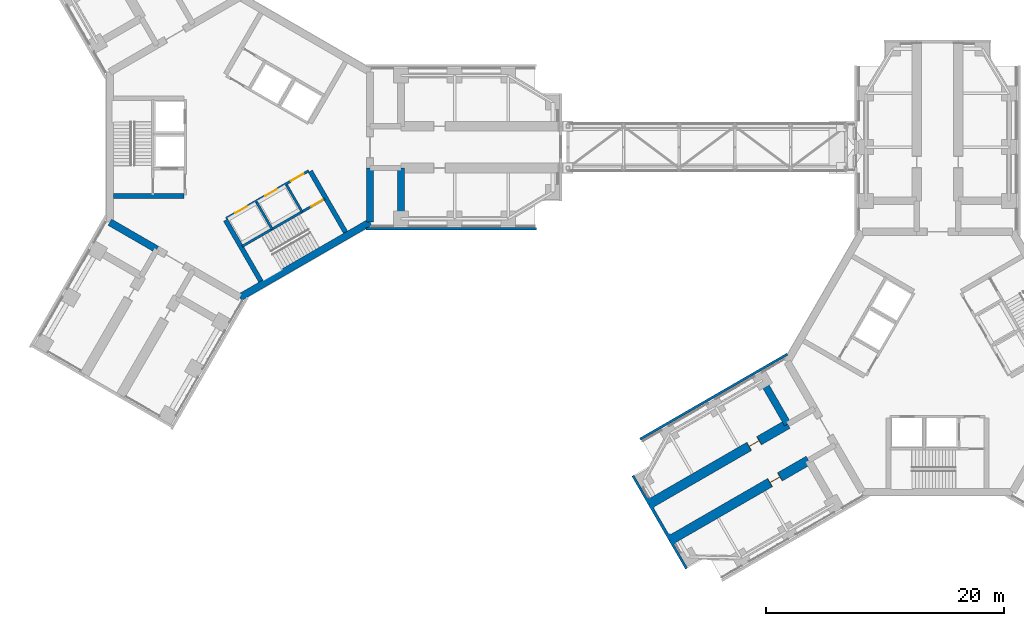
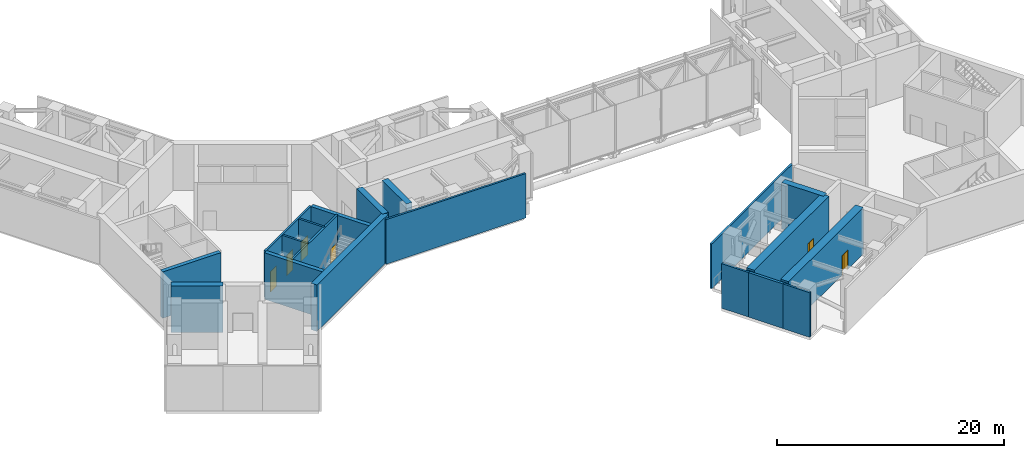
# One storey, part 7 of 15: 21 walls, 6 doors, 6 openings.
"""IFC4 building model written with IfcOpenShell, lengths in metres."""

from ifc_helpers import new_model, si_unit, direction, frame, frame_2d, origin, place, context, subcontext, project, spatial, rectangle, extrude, material, layer, layer_set, type_object, element, fill, save


model = new_model("IFC4")

# Units and contexts
model_context = context("Model", 3, precision=1e-05, world=origin(), true_north=direction((0.0, 1.0)))
body_context = subcontext(model_context, "Body", "Model", "MODEL_VIEW")
ifc_project = project(units=[si_unit("LENGTHUNIT", "METRE"), si_unit("AREAUNIT", "SQUARE_METRE"), si_unit("VOLUMEUNIT", "CUBIC_METRE"), si_unit("PLANEANGLEUNIT", "RADIAN"), si_unit("MASSUNIT", "GRAM", prefix="KILO")], contexts=[model_context])

# Site, building, storey
site_placement = place(None, origin())
site = spatial("IfcSite", under=ifc_project, at=site_placement, CompositionType="ELEMENT")
building_placement = place(site_placement, origin())
building = spatial("IfcBuilding", under=site, at=building_placement, Name="Upepo Twin Towers", CompositionType="ELEMENT")
storey_placement = place(building_placement, frame((0.0, 0.0, 165.5)))
storey = spatial("IfcBuildingStorey", under=building, at=storey_placement, Name="L40", CompositionType="ELEMENT", Elevation=165.5)

# Walls
ifc_material_1 = material(Name="Precast concrete breeze blocks", Category="concrete")
ifc_layer_1 = layer(ifc_material_1, 0.199951171875)
ifc_layer_set_1 = layer_set([ifc_layer_1], Name="Breeze-block screen wall 200")
wall_type_1 = type_object("IfcWallType", Name="Breeze-block screen wall 200", PredefinedType="USERDEFINED", material=ifc_layer_set_1)
for number, where, z_axis, x_axis, name in (
    (1, (24.85009765625, -6.85009765625, 0.0), (0.0, 0.0, 1.0), (-1.0, 0.0, 0.0), "T1 L40 wing A screen R"),
    (2, (33.55419921875, -24.49267578125, 0.0), (0.0, 0.0, 1.0), (0.866028809711, 0.499994100716, 0.0), "T2 L40 wing B screen R"),
):
    element("IfcWall", number, at=place(storey_placement, frame(where, z_axis=z_axis, x_axis=x_axis)), inside=storey, type_object=wall_type_1, Name=name, ObjectType="SCREEN", PredefinedType="USERDEFINED", context=body_context, shape_type="SweptSolid", body=[
        extrude(rectangle(XDim=14.262939453125, YDim=0.199951171875, at=frame_2d((7.13134765625, 0.0))), origin(), (0.0, 0.0, 1.0), 4.800048828125),
    ])
for number, where, z_axis, x_axis, name in (
    (3, (32.953857421875, -27.552978515625, 0.0), (0.0, 0.0, 1.0), (0.499996545922, -0.866027397988, 0.0), "T2 L40 wing B nose screen 0"),
    (4, (36.078857421875, -32.965576171875, 0.0), (0.0, 0.0, 1.0), (0.499996545922, -0.866027397988, 0.0), "T2 L40 wing B nose screen 2"),
):
    element("IfcWall", number, at=place(storey_placement, frame(where, z_axis=z_axis, x_axis=x_axis)), inside=storey, type_object=wall_type_1, Name=name, ObjectType="SCREEN", PredefinedType="USERDEFINED", context=body_context, shape_type="SweptSolid", body=[
        extrude(rectangle(XDim=2.75, YDim=0.199951171875, at=frame_2d((1.375, 0.0))), origin(), (0.0, 0.0, 1.0), 4.800048828125),
    ])
ifc_material_2 = material(Name="Dense concrete blockwork", Category="masonry")
ifc_layer_2 = layer(ifc_material_2, 0.800048828125)
ifc_layer_set_2 = layer_set([ifc_layer_2], Name="Buttress closer 800, blockwork with fire-stopping to the curtain wall")
wall_type_2 = type_object("IfcWallType", Name="Buttress closer 800, blockwork with fire-stopping to the curtain wall", PredefinedType="PARTITIONING", material=ifc_layer_set_2)
wall_1_placement = place(storey_placement, frame((36.252197265625, -32.865478515625, 0.0), z_axis=(0.0, 0.0, 1.0), x_axis=(-0.86553723574, -0.500844580232, 0.0)))
element("IfcWall", 5, at=wall_1_placement, inside=storey, type_object=wall_type_2, Name="T2 L40 wing B buttress closer L", PredefinedType="PARTITIONING", context=body_context, shape_type="SweptSolid", body=[
    extrude(rectangle(XDim=0.05029296875, YDim=0.800048828125, at=frame_2d((0.025146484375, 0.0))), origin(), (0.0, 0.0, 1.0), 4.800048828125),
])
wall_2_placement = place(storey_placement, frame((34.502197265625, -29.83447265625, 0.0), z_axis=(0.0, 0.0, 1.0), x_axis=(-0.867642581652, -0.497188445666, 0.0)))
element("IfcWall", 6, at=wall_2_placement, inside=storey, type_object=wall_type_2, Name="T2 L40 wing B buttress closer R", PredefinedType="PARTITIONING", context=body_context, shape_type="SweptSolid", body=[
    extrude(rectangle(XDim=0.050048828125, YDim=0.800048828125, at=frame_2d((0.02490234375, 0.0))), origin(), (0.0, 0.0, 1.0), 4.800048828125),
])

# Wall, opening, door
ifc_material_3 = material(Name="Concrete C60/75", Category="concrete")
ifc_layer_3 = layer(ifc_material_3, 0.800048828125)
ifc_layer_set_3 = layer_set([ifc_layer_3], Name="Concrete C60/75")
wall_type_3 = type_object("IfcWallType", Name="Buttress wall 800 RC", PredefinedType="SHEAR", material=ifc_layer_set_3)
wall_3_placement = place(storey_placement, frame((47.68359375, -26.265625, 0.0), z_axis=(0.0, 0.0, 1.0), x_axis=(-0.866027579429, -0.499996231654, 0.0)))
wall_3 = element("IfcWall", 7, at=wall_3_placement, inside=storey, type_object=wall_type_3, Name="T2 wing B buttress wall L part 2", PredefinedType="SHEAR", context=body_context, shape_type="SweptSolid", body=[
    extrude(rectangle(XDim=13.19970703125, YDim=0.800048828125, at=frame_2d((6.599853515625, 0.0))), origin(), (0.0, 0.0, 1.0), 5.0),
])
opening_1_placement = place(wall_3_placement, frame((2.75, 0.0, 0.0)))
opening_1 = element("IfcOpeningElement", 8, at=opening_1_placement, cuts=wall_3, Name="Opening D1", PredefinedType="OPENING", context=body_context, shape_type="SweptSolid", body=[
    extrude(rectangle(XDim=1.0, YDim=2.10009765625, at=frame_2d((0.5, 1.050048828125))), frame((0.0, 0.409912109375, 0.0), z_axis=(0.0, -1.0, 0.0), x_axis=(1.0, 0.0, 0.0)), (0.0, 0.0, 1.0), 0.820068359375),
])
ifc_material_4 = material(Name="Timber doorset", Category="wood")
door_type_1 = type_object("IfcDoorType", Name="Room door 1000 FD30", OperationType="SINGLE_SWING_LEFT", PredefinedType="DOOR", material=ifc_material_4)
door_1_placement = place(opening_1_placement, origin())
door_1 = element("IfcDoor", 9, at=door_1_placement, inside=storey, type_object=door_type_1, Name="T2 L40 refuge area door", OperationType="SINGLE_SWING_LEFT", OverallHeight=2.10009765625, OverallWidth=1.0, PredefinedType="DOOR", context=body_context, shape_type="SweptSolid", body=[
    extrude(rectangle(XDim=0.92, YDim=2.06009765625, at=frame_2d((0.5, 1.030029296875))), frame((0.0, 0.02490234375, 0.0), z_axis=(0.0, -1.0, 0.0), x_axis=(1.0, 0.0, 0.0)), (0.0, 0.0, 1.0), 0.050048828125),
    extrude(rectangle(XDim=0.04, YDim=2.10009765625, at=frame_2d((0.02001953125, 1.050048828125))), frame((0.0, 0.39990234375, 0.0), z_axis=(0.0, -1.0, 0.0), x_axis=(1.0, 0.0, 0.0)), (0.0, 0.0, 1.0), 0.799560546875),
    extrude(rectangle(XDim=0.04, YDim=2.10009765625, at=frame_2d((0.97998046875, 1.050048828125))), frame((0.0, 0.39990234375, 0.0), z_axis=(0.0, -1.0, 0.0), x_axis=(1.0, 0.0, 0.0)), (0.0, 0.0, 1.0), 0.799560546875),
    extrude(rectangle(XDim=0.92, YDim=0.04, at=frame_2d((0.5, 2.080078125))), frame((0.0, 0.39990234375, 0.0), z_axis=(0.0, -1.0, 0.0), x_axis=(1.0, 0.0, 0.0)), (0.0, 0.0, 1.0), 0.799560546875),
])
fill(opening_1, door_1)

wall_4_placement = place(storey_placement, frame((45.93359375, -23.234375, 0.0), z_axis=(0.0, 0.0, 1.0), x_axis=(-0.866019570528, -0.500010103361, 0.0)))
wall_4 = element("IfcWall", 10, at=wall_4_placement, inside=storey, type_object=wall_type_3, Name="T2 wing B buttress wall R part 2", PredefinedType="SHEAR", context=body_context, shape_type="SweptSolid", body=[
    extrude(rectangle(XDim=13.199951171875, YDim=0.800048828125, at=frame_2d((6.60009765625, 0.0))), origin(), (0.0, 0.0, 1.0), 5.0),
])
opening_2_placement = place(wall_4_placement, frame((2.75, 0.0, 0.0)))
opening_2 = element("IfcOpeningElement", 11, at=opening_2_placement, cuts=wall_4, Name="Opening D1", PredefinedType="OPENING", context=body_context, shape_type="SweptSolid", body=[
    extrude(rectangle(XDim=1.0, YDim=2.10009765625, at=frame_2d((0.5, 1.050048828125))), frame((0.0, 0.409912109375, 0.0), z_axis=(0.0, -1.0, 0.0), x_axis=(1.0, 0.0, 0.0)), (0.0, 0.0, 1.0), 0.820068359375),
])
door_2_placement = place(opening_2_placement, origin())
door_2 = element("IfcDoor", 12, at=door_2_placement, inside=storey, type_object=door_type_1, Name="T2 L40 booster pump plant room door", OperationType="SINGLE_SWING_LEFT", OverallHeight=2.10009765625, OverallWidth=1.0, PredefinedType="DOOR", context=body_context, shape_type="SweptSolid", body=[
    extrude(rectangle(XDim=0.92, YDim=2.06009765625, at=frame_2d((0.5, 1.030029296875))), frame((0.0, 0.02490234375, 0.0), z_axis=(0.0, -1.0, 0.0), x_axis=(1.0, 0.0, 0.0)), (0.0, 0.0, 1.0), 0.050048828125),
    extrude(rectangle(XDim=0.04, YDim=2.10009765625, at=frame_2d((0.02001953125, 1.050048828125))), frame((0.0, 0.39990234375, 0.0), z_axis=(0.0, -1.0, 0.0), x_axis=(1.0, 0.0, 0.0)), (0.0, 0.0, 1.0), 0.799560546875),
    extrude(rectangle(XDim=0.04, YDim=2.10009765625, at=frame_2d((0.97998046875, 1.050048828125))), frame((0.0, 0.39990234375, 0.0), z_axis=(0.0, -1.0, 0.0), x_axis=(1.0, 0.0, 0.0)), (0.0, 0.0, 1.0), 0.799560546875),
    extrude(rectangle(XDim=0.92, YDim=0.04, at=frame_2d((0.5, 2.080078125))), frame((0.0, 0.39990234375, 0.0), z_axis=(0.0, -1.0, 0.0), x_axis=(1.0, 0.0, 0.0)), (0.0, 0.0, 1.0), 0.799560546875),
])
fill(opening_2, door_2)

# Walls
ifc_material_5 = material(Name="Concrete C60/75", Category="concrete")
ifc_layer_4 = layer(ifc_material_5, 0.60009765625)
ifc_layer_set_4 = layer_set([ifc_layer_4], Name="Concrete C60/75")
wall_type_4 = type_object("IfcWallType", Name="Core wall 600 RC", PredefinedType="SHEAR", material=ifc_layer_set_4)
wall_5_placement = place(storey_placement, frame((10.908447265625, -6.2978515625, 0.0), z_axis=(0.0, 0.0, 1.0), x_axis=(0.0, 1.0, 0.0)))
element("IfcWall", 13, at=wall_5_placement, inside=storey, type_object=wall_type_4, Name="T1 core wall 000 R", PredefinedType="SHEAR", context=body_context, shape_type="SweptSolid", body=[
    extrude(rectangle(XDim=4.5478515625, YDim=0.60009765625, at=frame_2d((2.27392578125, 0.0))), origin(), (0.0, 0.0, 1.0), 5.0),
])
wall_6_placement = place(storey_placement, frame((-10.908447265625, -6.2978515625, 0.0), z_axis=(0.0, 0.0, 1.0), x_axis=(0.866034513004, -0.499984222037, 0.0)))
element("IfcWall", 14, at=wall_6_placement, inside=storey, type_object=wall_type_4, Name="T1 core wall 240 R", PredefinedType="SHEAR", context=body_context, shape_type="SweptSolid", body=[
    extrude(rectangle(XDim=4.548095703125, YDim=0.60009765625, at=frame_2d((2.27392578125, 0.0))), origin(), (0.0, 0.0, 1.0), 5.0),
])
wall_7_placement = place(storey_placement, frame((0.0, -12.595947265625, 0.0), z_axis=(0.0, 0.0, 1.0), x_axis=(0.866021940709, 0.500005998175, 0.0)))
element("IfcWall", 15, at=wall_7_placement, inside=storey, type_object=wall_type_4, Name="T1 core wall 300", PredefinedType="SHEAR", context=body_context, shape_type="SweptSolid", body=[
    extrude(rectangle(XDim=12.595947265625, YDim=0.60009765625, at=frame_2d((6.2978515625, 0.0))), origin(), (0.0, 0.0, 1.0), 5.0),
])
ifc_material_6 = material(Name="Blockwork with anodised aluminium cladding", Category="masonry")
ifc_layer_5 = layer(ifc_material_6, 0.25)
ifc_layer_set_5 = layer_set([ifc_layer_5], Name="Notch cladding wall 250, pale metal")
wall_type_5 = type_object("IfcWallType", Name="Notch cladding wall 250, pale metal", PredefinedType="STANDARD", material=ifc_layer_set_5)
wall_8_placement = place(storey_placement, frame((34.3505859375, -29.921875, 0.0), z_axis=(0.0, 0.0, 1.0), x_axis=(0.499980071345, -0.866036909293, 0.0)))
element("IfcWall", 16, at=wall_8_placement, inside=storey, type_object=wall_type_5, Name="T2 L40 wing B nose wall", PredefinedType="STANDARD", context=body_context, shape_type="SweptSolid", body=[
    extrude(rectangle(XDim=3.500244140625, YDim=0.25, at=frame_2d((1.75, 0.0))), origin(), (0.0, 0.0, 1.0), 4.800048828125),
])
ifc_material_7 = material(Name="Concrete C60/75", Category="concrete")
ifc_layer_6 = layer(ifc_material_7, 0.60009765625)
ifc_layer_set_6 = layer_set([ifc_layer_6], Name="Concrete C60/75")
wall_type_6 = type_object("IfcWallType", Name="Outrigger wall 600 RC", PredefinedType="SHEAR", material=ifc_layer_set_6)
wall_9_placement = place(storey_placement, frame((13.5, -1.75, 0.0), z_axis=(0.0, 0.0, 1.0), x_axis=(0.0, -1.0, 0.0)))
element("IfcWall", 17, at=wall_9_placement, inside=storey, type_object=wall_type_6, Name="T1 outrigger wall AR", PredefinedType="SHEAR", context=body_context, shape_type="SweptSolid", body=[
    extrude(rectangle(XDim=4.25, YDim=0.60009765625, at=frame_2d((2.125, 0.0))), origin(), (0.0, 0.0, 1.0), 5.0),
])
wall_10_placement = place(storey_placement, frame((45.93359375, -23.234375, 0.0), z_axis=(0.0, 0.0, 1.0), x_axis=(-0.50001915956, 0.866014341725, 0.0)))
element("IfcWall", 18, at=wall_10_placement, inside=storey, type_object=wall_type_6, Name="T2 outrigger wall BR", PredefinedType="SHEAR", context=body_context, shape_type="SweptSolid", body=[
    extrude(rectangle(XDim=4.249755859375, YDim=0.60009765625, at=frame_2d((2.125, 0.0))), origin(), (0.0, 0.0, 1.0), 5.0),
])

# Wall, openings, doors
ifc_material_8 = material(Name="Concrete C40/50", Category="concrete")
ifc_layer_7 = layer(ifc_material_8, 0.199951171875)
ifc_layer_set_7 = layer_set([ifc_layer_7], Name="Concrete C40/50")
wall_type_7 = type_object("IfcWallType", Name="Shaft wall 200 RC", PredefinedType="SHEAR", material=ifc_layer_set_7)
wall_11_placement = place(storey_placement, frame((-1.1640625, -5.983642578125, 0.0), z_axis=(0.0, 0.0, 1.0), x_axis=(0.866026010844, 0.49999894854, 0.0)))
wall_11 = element("IfcWall", 19, at=wall_11_placement, inside=storey, type_object=wall_type_7, Name="T1 core W300 front wall", PredefinedType="SHEAR", context=body_context, shape_type="SweptSolid", body=[
    extrude(rectangle(XDim=8.0, YDim=0.199951171875, at=frame_2d((4.0, 0.0))), origin(), (0.0, 0.0, 1.0), 5.0),
])
opening_3_placement = place(wall_11_placement, frame((6.300048828125, 0.0, 0.0)))
opening_3 = element("IfcOpeningElement", 20, at=opening_3_placement, cuts=wall_11, Name="Opening D4", PredefinedType="OPENING", context=body_context, shape_type="SweptSolid", body=[
    extrude(rectangle(XDim=1.199951171875, YDim=2.10009765625, at=frame_2d((0.60009765625, 1.050048828125))), frame((0.0, 0.10986328125, 0.0), z_axis=(0.0, -1.0, 0.0), x_axis=(1.0, 0.0, 0.0)), (0.0, 0.0, 1.0), 0.219970703125),
])
opening_4_placement = place(wall_11_placement, frame((0.89990234375, 0.0, 0.0)))
opening_4 = element("IfcOpeningElement", 21, at=opening_4_placement, cuts=wall_11, Name="Opening LD1", PredefinedType="OPENING", context=body_context, shape_type="SweptSolid", body=[
    extrude(rectangle(XDim=1.10009765625, YDim=2.199951171875, at=frame_2d((0.550048828125, 1.10009765625))), frame((0.0, 0.10986328125, 0.0), z_axis=(0.0, -1.0, 0.0), x_axis=(1.0, 0.0, 0.0)), (0.0, 0.0, 1.0), 0.219970703125),
])
opening_5_placement = place(wall_11_placement, frame((3.800048828125, 0.0, 0.0)))
opening_5 = element("IfcOpeningElement", 22, at=opening_5_placement, cuts=wall_11, Name="Opening LD1", PredefinedType="OPENING", context=body_context, shape_type="SweptSolid", body=[
    extrude(rectangle(XDim=1.10009765625, YDim=2.199951171875, at=frame_2d((0.550048828125, 1.10009765625))), frame((0.0, 0.10986328125, 0.0), z_axis=(0.0, -1.0, 0.0), x_axis=(1.0, 0.0, 0.0)), (0.0, 0.0, 1.0), 0.219970703125),
])
ifc_material_9 = material(Name="Steel doorset", Category="steel")
door_type_2 = type_object("IfcDoorType", Name="Lift landing door 1100", OperationType="DOUBLE_DOOR_SLIDING", PredefinedType="DOOR", material=ifc_material_9)
door_3_placement = place(opening_4_placement, origin())
door_3 = element("IfcDoor", 23, at=door_3_placement, inside=storey, type_object=door_type_2, Name="T1 L40 lift ML1 landing door", OperationType="DOUBLE_DOOR_SLIDING", OverallHeight=2.199951171875, OverallWidth=1.10009765625, PredefinedType="DOOR", context=body_context, shape_type="SweptSolid", body=[
    extrude(rectangle(XDim=1.10009765625, YDim=2.199951171875, at=frame_2d((0.550048828125, 1.10009765625))), frame((0.0, 0.02490234375, 0.0), z_axis=(0.0, -1.0, 0.0), x_axis=(1.0, 0.0, 0.0)), (0.0, 0.0, 1.0), 0.050048828125),
])
fill(opening_4, door_3)
door_4_placement = place(opening_5_placement, origin())
door_4 = element("IfcDoor", 24, at=door_4_placement, inside=storey, type_object=door_type_2, Name="T1 L40 lift ML2 landing door", OperationType="DOUBLE_DOOR_SLIDING", OverallHeight=2.199951171875, OverallWidth=1.10009765625, PredefinedType="DOOR", context=body_context, shape_type="SweptSolid", body=[
    extrude(rectangle(XDim=1.10009765625, YDim=2.199951171875, at=frame_2d((0.550048828125, 1.10009765625))), frame((0.0, 0.02490234375, 0.0), z_axis=(0.0, -1.0, 0.0), x_axis=(1.0, 0.0, 0.0)), (0.0, 0.0, 1.0), 0.050048828125),
])
fill(opening_5, door_4)
ifc_material_10 = material(Name="Timber doorset", Category="wood")
door_type_3 = type_object("IfcDoorType", Name="Lobby door 1200 FD60", OperationType="SINGLE_SWING_LEFT", PredefinedType="DOOR", material=ifc_material_10)
door_5_placement = place(opening_3_placement, origin())
door_5 = element("IfcDoor", 25, at=door_5_placement, inside=storey, type_object=door_type_3, Name="T1 L40 W300 lobby door", OperationType="SINGLE_SWING_RIGHT", OverallHeight=2.10009765625, OverallWidth=1.199951171875, PredefinedType="DOOR", context=body_context, shape_type="SweptSolid", body=[
    extrude(rectangle(XDim=1.199951171875, YDim=2.10009765625, at=frame_2d((0.60009765625, 1.050048828125))), frame((0.0, 0.02490234375, 0.0), z_axis=(0.0, -1.0, 0.0), x_axis=(1.0, 0.0, 0.0)), (0.0, 0.0, 1.0), 0.050048828125),
])
fill(opening_3, door_5)

# Walls
wall_12_placement = place(storey_placement, frame((1.3974609375, -4.620361328125, 0.0), z_axis=(0.0, 0.0, 1.0), x_axis=(0.499936506574, -0.866062058628, 0.0)))
element("IfcWall", 26, at=wall_12_placement, inside=storey, type_object=wall_type_7, Name="T1 core W300 shaft divider", PredefinedType="SHEAR", context=body_context, shape_type="SweptSolid", body=[
    extrude(rectangle(XDim=2.599853515625, YDim=0.199951171875, at=frame_2d((1.2998046875, 0.0))), origin(), (0.0, 0.0, 1.0), 5.0),
])
wall_13_placement = place(storey_placement, frame((3.908935546875, -3.17041015625, 0.0), z_axis=(0.0, 0.0, 1.0), x_axis=(0.49997716683, -0.86603858612, 0.0)))
element("IfcWall", 27, at=wall_13_placement, inside=storey, type_object=wall_type_7, Name="T1 core W300 lobby wall", PredefinedType="SHEAR", context=body_context, shape_type="SweptSolid", body=[
    extrude(rectangle(XDim=2.599609375, YDim=0.199951171875, at=frame_2d((1.2998046875, 0.0))), origin(), (0.0, 0.0, 1.0), 5.0),
])

# Wall, opening, door
wall_14_placement = place(storey_placement, frame((0.185791015625, -8.322021484375, 0.0), z_axis=(0.0, 0.0, 1.0), x_axis=(0.866026010844, 0.49999894854, 0.0)))
wall_14 = element("IfcWall", 28, at=wall_14_placement, inside=storey, type_object=wall_type_7, Name="T1 core W300 stair wall", PredefinedType="SHEAR", context=body_context, shape_type="SweptSolid", body=[
    extrude(rectangle(XDim=8.0, YDim=0.199951171875, at=frame_2d((4.0, 0.0))), origin(), (0.0, 0.0, 1.0), 5.0),
])
opening_6_placement = place(wall_14_placement, frame((6.699951171875, 0.0, 0.0)))
opening_6 = element("IfcOpeningElement", 29, at=opening_6_placement, cuts=wall_14, Name="Opening D3", PredefinedType="OPENING", context=body_context, shape_type="SweptSolid", body=[
    extrude(rectangle(XDim=1.10009765625, YDim=2.10009765625, at=frame_2d((0.550048828125, 1.050048828125))), frame((0.0, 0.10986328125, 0.0), z_axis=(0.0, -1.0, 0.0), x_axis=(1.0, 0.0, 0.0)), (0.0, 0.0, 1.0), 0.219970703125),
])
ifc_material_11 = material(Name="Timber doorset", Category="wood")
door_type_4 = type_object("IfcDoorType", Name="Stair door 1100 FD60", OperationType="SINGLE_SWING_LEFT", PredefinedType="DOOR", material=ifc_material_11)
door_6_placement = place(opening_6_placement, origin())
door_6 = element("IfcDoor", 30, at=door_6_placement, inside=storey, type_object=door_type_4, Name="T1 L40 stair door", OperationType="SINGLE_SWING_RIGHT", OverallHeight=2.10009765625, OverallWidth=1.10009765625, PredefinedType="DOOR", context=body_context, shape_type="SweptSolid", body=[
    extrude(rectangle(XDim=1.10009765625, YDim=2.10009765625, at=frame_2d((0.550048828125, 1.050048828125))), frame((0.0, 0.02490234375, 0.0), z_axis=(0.0, -1.0, 0.0), x_axis=(1.0, 0.0, 0.0)), (0.0, 0.0, 1.0), 0.050048828125),
])
fill(opening_6, door_6)

# Walls
ifc_material_12 = material(Name="Concrete C40/50", Category="concrete")
ifc_layer_8 = layer(ifc_material_12, 0.39990234375)
ifc_layer_set_8 = layer_set([ifc_layer_8], Name="Concrete C40/50")
wall_type_8 = type_object("IfcWallType", Name="Shaft wall 400 RC", PredefinedType="SHEAR", material=ifc_layer_set_8)
for number, where, z_axis, x_axis, name in (
    (31, (-4.699951171875, -4.10009765625, 0.0), (0.0, 0.0, 1.0), (-1.0, 0.0, 0.0), "T1 core W180 side wall N"),
    (32, (5.900634765625, -2.020263671875, 0.0), (0.0, 0.0, 1.0), (0.500027676417, -0.866009424208, 0.0), "T1 core W300 side wall N"),
):
    element("IfcWall", number, at=place(storey_placement, frame(where, z_axis=z_axis, x_axis=x_axis)), inside=storey, type_object=wall_type_8, Name=name, PredefinedType="SHEAR", context=body_context, shape_type="SweptSolid", body=[
        extrude(rectangle(XDim=5.908447265625, YDim=0.39990234375, at=frame_2d((2.9541015625, 0.0))), origin(), (0.0, 0.0, 1.0), 5.0),
    ])
wall_15_placement = place(storey_placement, frame((-1.20068359375, -6.120361328125, 0.0), z_axis=(0.0, 0.0, 1.0), x_axis=(0.49999668571, -0.866027317282, 0.0)))
element("IfcWall", 33, at=wall_15_placement, inside=storey, type_object=wall_type_8, Name="T1 core W300 side wall S", PredefinedType="SHEAR", context=body_context, shape_type="SweptSolid", body=[
    extrude(rectangle(XDim=5.908203125, YDim=0.39990234375, at=frame_2d((2.9541015625, 0.0))), origin(), (0.0, 0.0, 1.0), 5.0),
])

save(model, "model.ifc")
